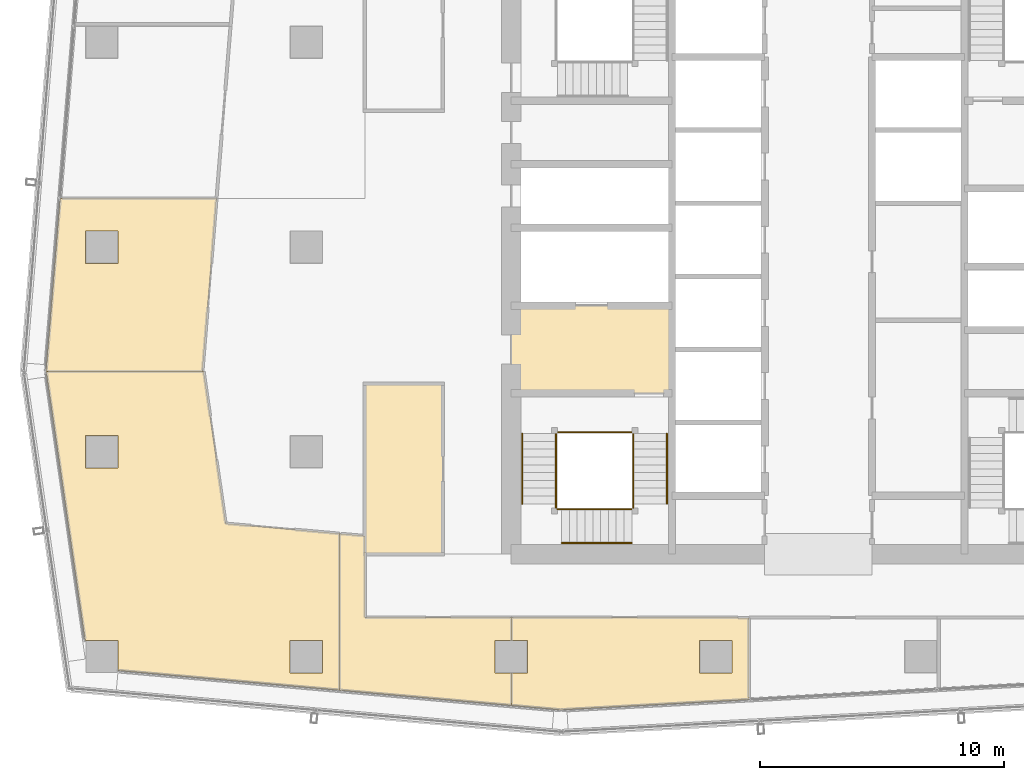
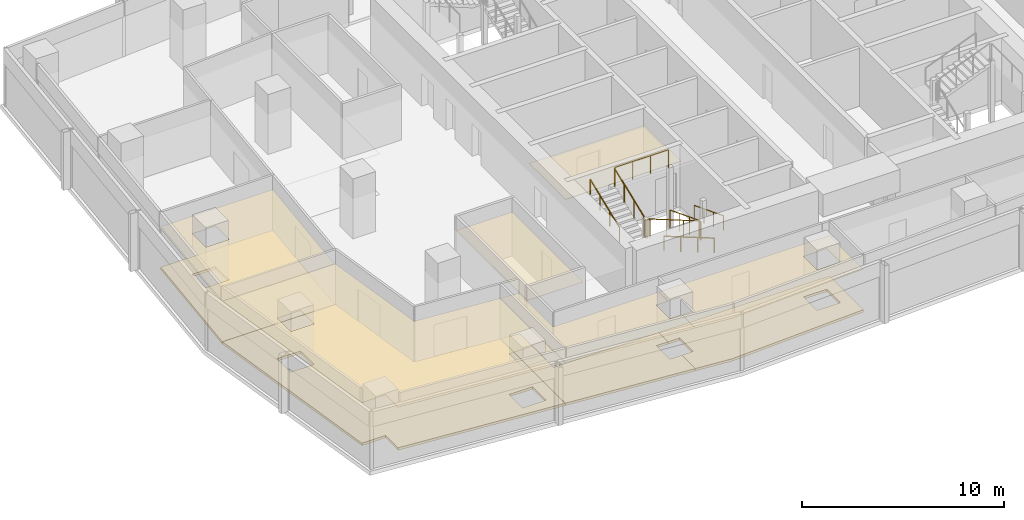
# One storey, part 23 of 26: 10 coverings, 10 railings.
"""IFC4 building model written with IfcOpenShell, lengths in metres."""

from ifc_helpers import new_model, si_unit, direction, frame, origin, origin_2d, place, context, subcontext, project, spatial, polyline, circle, outline, extrude, material, layer, layer_set, type_object, element, save


model = new_model("IFC4")

# Units and contexts
model_context = context("Model", 3, precision=1e-05, world=origin(), true_north=direction((0.0, 1.0)))
body_context = subcontext(model_context, "Body", "Model", "MODEL_VIEW")
ifc_project = project(units=[si_unit("LENGTHUNIT", "METRE"), si_unit("AREAUNIT", "SQUARE_METRE"), si_unit("VOLUMEUNIT", "CUBIC_METRE"), si_unit("PLANEANGLEUNIT", "RADIAN"), si_unit("MASSUNIT", "GRAM", prefix="KILO")], contexts=[model_context])

# Site, building, storey
site_placement = place(None, origin())
site = spatial("IfcSite", under=ifc_project, at=site_placement, CompositionType="ELEMENT")
building_placement = place(site_placement, origin())
building = spatial("IfcBuilding", under=site, at=building_placement, Name="Rekha Terrace Tower", CompositionType="ELEMENT")
storey_placement = place(building_placement, frame((0.0, 0.0, 283.85009765625)))
storey = spatial("IfcBuildingStorey", under=building, at=storey_placement, Name="L72", CompositionType="ELEMENT", Elevation=283.85009765625)

# Coverings
ifc_material_1 = material(Name="Mineral fibre tile in exposed grid", Category="finish")
ifc_layer_1 = layer(ifc_material_1, 0.02001953125)
ifc_layer_set_1 = layer_set([ifc_layer_1], Name="Mineral fibre tile in exposed grid")
covering_type_1 = type_object("IfcCoveringType", Name="CL1 600x1200 office grid ceiling", PredefinedType="CEILING", material=ifc_layer_set_1)
covering_1_placement = place(storey_placement, frame((0.0, 0.0, 2.579833984375)))
element("IfcCovering", 1, at=covering_1_placement, inside=storey, type_object=covering_type_1, Name="Ceiling L72-08", PredefinedType="CEILING", context=body_context, shape_type="SweptSolid", body=[
    extrude(outline(polyline([(12.534912109375, 28.491943359375), (13.112060546875, 35.589111328125), (6.69091796875, 35.589111328125), (6.113037109375, 28.491943359375), (12.534912109375, 28.491943359375)]), holes=[polyline([(9.06494140625, 34.264892578125), (9.06494140625, 32.93505859375), (7.735107421875, 32.93505859375), (7.735107421875, 34.264892578125), (9.06494140625, 34.264892578125)])]), origin(), (0.0, 0.0, 1.0), 0.02001953125),
])
covering_2_placement = place(storey_placement, frame((0.0, 0.0, 2.579833984375)))
element("IfcCovering", 2, at=covering_2_placement, inside=storey, type_object=covering_type_1, Name="Ceiling L72-09", PredefinedType="CEILING", context=body_context, shape_type="SweptSolid", body=[
    extrude(outline(polyline([(6.12109375, 28.490966796875), (7.715087890625, 17.465087890625), (9.06494140625, 17.465087890625), (9.06494140625, 16.22705078125), (18.14892578125, 15.4189453125), (18.14892578125, 21.844970703125), (13.488037109375, 22.259033203125), (12.5869140625, 28.490966796875), (6.12109375, 28.490966796875)]), holes=[polyline([(17.465087890625, 17.465087890625), (17.465087890625, 16.135009765625), (16.135009765625, 16.135009765625), (16.135009765625, 17.465087890625), (17.465087890625, 17.465087890625)]), polyline([(9.06494140625, 25.864990234375), (9.06494140625, 24.534912109375), (7.735107421875, 24.534912109375), (7.735107421875, 25.864990234375), (9.06494140625, 25.864990234375)])]), origin(), (0.0, 0.0, 1.0), 0.02001953125),
])
covering_3_placement = place(storey_placement, frame((0.0, 0.0, 2.579833984375)))
element("IfcCovering", 3, at=covering_3_placement, inside=storey, type_object=covering_type_1, Name="Ceiling L72-10", PredefinedType="CEILING", context=body_context, shape_type="SweptSolid", body=[
    extrude(outline(polyline([(24.534912109375, 17.465087890625), (25.2060546875, 17.465087890625), (25.2060546875, 18.39990234375), (19.199951171875, 18.39990234375), (19.199951171875, 21.7509765625), (18.14990234375, 21.843994140625), (18.14990234375, 15.4189453125), (25.2060546875, 14.7919921875), (25.2060546875, 16.135009765625), (24.534912109375, 16.135009765625), (24.534912109375, 17.465087890625)])), origin(), (0.0, 0.0, 1.0), 0.02001953125),
])
covering_4_placement = place(storey_placement, frame((0.0, 0.0, 2.579833984375)))
element("IfcCovering", 4, at=covering_4_placement, inside=storey, type_object=covering_type_1, Name="Ceiling L72-11", PredefinedType="CEILING", context=body_context, shape_type="SweptSolid", body=[
    extrude(outline(polyline([(34.50390625, 15.009033203125), (34.947998046875, 15.033935546875), (34.947998046875, 18.375), (34.50390625, 18.375), (34.50390625, 18.39990234375), (25.20703125, 18.39990234375), (25.20703125, 17.465087890625), (25.864990234375, 17.465087890625), (25.864990234375, 16.135009765625), (25.20703125, 16.135009765625), (25.20703125, 14.7919921875), (27.221923828125, 14.613037109375), (34.50390625, 15.009033203125)]), holes=[polyline([(34.264892578125, 16.135009765625), (32.93505859375, 16.135009765625), (32.93505859375, 17.465087890625), (34.264892578125, 17.465087890625), (34.264892578125, 16.135009765625)])]), origin(), (0.0, 0.0, 1.0), 0.02001953125),
])
ifc_material_2 = material(Name="Fibre cement board", Category="finish")
ifc_layer_2 = layer(ifc_material_2, 0.014892578125)
ifc_layer_set_2 = layer_set([ifc_layer_2], Name="Fibre cement board")
covering_type_2 = type_object("IfcCoveringType", Name="CL2 moisture-resistant board ceiling", PredefinedType="CEILING", material=ifc_layer_set_2)
covering_5_placement = place(storey_placement, frame((0.0, 0.0, 2.5849609375)))
element("IfcCovering", 5, at=covering_5_placement, inside=storey, type_object=covering_type_2, Name="Ceiling L72-WCM", PredefinedType="CEILING", context=body_context, shape_type="SweptSolid", body=[
    extrude(outline(polyline([(22.39990234375, 28.0), (19.199951171875, 28.0), (19.199951171875, 21.0), (22.39990234375, 21.0), (22.39990234375, 28.0)])), origin(), (0.0, 0.0, 1.0), 0.014892578125),
])
ifc_material_3 = material(Name="Powder-coated aluminium pan", Category="aluminium")
ifc_layer_3 = layer(ifc_material_3, 0.030029296875)
ifc_layer_set_3 = layer_set([ifc_layer_3], Name="Powder-coated aluminium pan")
covering_type_3 = type_object("IfcCoveringType", Name="CL3 300x1200 metal pan ceiling", PredefinedType="CEILING", material=ifc_layer_set_3)
covering_6_placement = place(storey_placement, frame((0.0, 0.0, 2.56982421875)))
element("IfcCovering", 6, at=covering_6_placement, inside=storey, type_object=covering_type_3, Name="Ceiling L72-FLB1", PredefinedType="CEILING", context=body_context, shape_type="SweptSolid", body=[
    extrude(outline(polyline([(31.800048828125, 31.199951171875), (25.199951171875, 31.199951171875), (25.199951171875, 27.60009765625), (31.800048828125, 27.60009765625), (31.800048828125, 31.199951171875)])), origin(), (0.0, 0.0, 1.0), 0.030029296875),
])

# Railings
ifc_material_4 = material(Name="Stainless steel balustrade", Category="steel")
railing_type_1 = type_object("IfcRailingType", Name="GR1 1100 stair guard", PredefinedType="GUARDRAIL", material=ifc_material_4)
railing_1_placement = place(storey_placement, frame((30.2099609375, 25.949951171875, 0.125)))
element("IfcRailing", 7, at=railing_1_placement, inside=storey, type_object=railing_type_1, Name="Guard ST1 L72 flight 1", PredefinedType="GUARDRAIL", context=body_context, shape_type="SweptSolid", body=[
    extrude(circle(Radius=0.02392578125, at=origin_2d()), frame((0.0, 0.0, 1.076171875), z_axis=(0.0, -0.931452331594, 0.363863372667), x_axis=(1.0, 0.0, 0.0)), (0.0, 0.0, 1.0), 3.091796875),
    extrude(circle(Radius=0.02099609375, at=origin_2d()), origin(), (0.0, 0.0, 1.0), 1.052001953125),
    extrude(circle(Radius=0.02099609375, at=origin_2d()), frame((0.0, -0.9599609375, 0.375)), (0.0, 0.0, 1.0), 1.052001953125),
    extrude(circle(Radius=0.02099609375, at=origin_2d()), frame((0.0, -1.919921875, 0.75)), (0.0, 0.0, 1.0), 1.052001953125),
    extrude(circle(Radius=0.02099609375, at=origin_2d()), frame((0.0, -2.8798828125, 1.125)), (0.0, 0.0, 1.0), 1.052001953125),
])
railing_2_placement = place(storey_placement, frame((30.14990234375, 22.840087890625, 1.375)))
element("IfcRailing", 8, at=railing_2_placement, inside=storey, type_object=railing_type_1, Name="Guard ST1 L72 flight 2", PredefinedType="GUARDRAIL", context=body_context, shape_type="SweptSolid", body=[
    extrude(circle(Radius=0.02392578125, at=origin_2d()), frame((0.0, 0.0, 1.076171875), z_axis=(-0.931452331594, 0.0, 0.363863372667), x_axis=(0.0, -1.0, 0.0)), (0.0, 0.0, 1.0), 3.091796875),
    extrude(circle(Radius=0.02099609375, at=origin_2d()), origin(), (0.0, 0.0, 1.0), 1.052001953125),
    extrude(circle(Radius=0.02099609375, at=origin_2d()), frame((-0.9599609375, 0.0, 0.375)), (0.0, 0.0, 1.0), 1.052001953125),
    extrude(circle(Radius=0.02099609375, at=origin_2d()), frame((-1.919921875, 0.0, 0.75)), (0.0, 0.0, 1.0), 1.052001953125),
    extrude(circle(Radius=0.02099609375, at=origin_2d()), frame((-2.8798828125, 0.0, 1.125)), (0.0, 0.0, 1.0), 1.052001953125),
])
railing_3_placement = place(storey_placement, frame((27.0400390625, 23.070068359375, 2.625)))
element("IfcRailing", 9, at=railing_3_placement, inside=storey, type_object=railing_type_1, Name="Guard ST1 L72 flight 3", PredefinedType="GUARDRAIL", context=body_context, shape_type="SweptSolid", body=[
    extrude(circle(Radius=0.02392578125, at=origin_2d()), frame((0.0, 0.0, 1.076171875), z_axis=(0.0, 0.931452331594, 0.363863372667), x_axis=(-1.0, 0.0, 0.0)), (0.0, 0.0, 1.0), 3.091796875),
    extrude(circle(Radius=0.02099609375, at=origin_2d()), origin(), (0.0, 0.0, 1.0), 1.052001953125),
    extrude(circle(Radius=0.02099609375, at=origin_2d()), frame((0.0, 0.9599609375, 0.375)), (0.0, 0.0, 1.0), 1.052001953125),
    extrude(circle(Radius=0.02099609375, at=origin_2d()), frame((0.0, 1.919921875, 0.75)), (0.0, 0.0, 1.0), 1.052001953125),
    extrude(circle(Radius=0.02099609375, at=origin_2d()), frame((0.0, 2.8798828125, 1.125)), (0.0, 0.0, 1.0), 1.052001953125),
])
railing_4_placement = place(storey_placement, frame((30.2099609375, 23.070068359375, 1.25)))
element("IfcRailing", 10, at=railing_4_placement, inside=storey, type_object=railing_type_1, Name="Guard ST1 L72 landing 1", PredefinedType="GUARDRAIL", context=body_context, shape_type="SweptSolid", body=[
    extrude(circle(Radius=0.02392578125, at=origin_2d()), frame((0.0, 0.0, 1.076171875), z_axis=(0.0, -1.0, 0.0), x_axis=(1.0, 0.0, 0.0)), (0.0, 0.0, 1.0), 0.170166015625),
    extrude(circle(Radius=0.02099609375, at=origin_2d()), origin(), (0.0, 0.0, 1.0), 1.052001953125),
    extrude(circle(Radius=0.02099609375, at=origin_2d()), frame((0.0, -0.170166015625, 0.0)), (0.0, 0.0, 1.0), 1.052001953125),
])
railing_5_placement = place(storey_placement, frame((27.27001953125, 22.840087890625, 2.5)))
element("IfcRailing", 11, at=railing_5_placement, inside=storey, type_object=railing_type_1, Name="Guard ST1 L72 landing 2", PredefinedType="GUARDRAIL", context=body_context, shape_type="SweptSolid", body=[
    extrude(circle(Radius=0.02392578125, at=origin_2d()), frame((0.0, 0.0, 1.076171875), z_axis=(-1.0, 0.0, 0.0), x_axis=(0.0, -1.0, 0.0)), (0.0, 0.0, 1.0), 0.169921875),
    extrude(circle(Radius=0.02099609375, at=origin_2d()), origin(), (0.0, 0.0, 1.0), 1.052001953125),
    extrude(circle(Radius=0.02099609375, at=origin_2d()), frame((-0.169921875, 0.0, 0.0)), (0.0, 0.0, 1.0), 1.052001953125),
])
railing_6_placement = place(storey_placement, frame((27.0400390625, 23.070068359375, 2.5)))
element("IfcRailing", 12, at=railing_6_placement, inside=storey, type_object=railing_type_1, Name="Guard ST1 L72 landing 3", PredefinedType="GUARDRAIL", context=body_context, shape_type="SweptSolid", body=[
    extrude(circle(Radius=0.02392578125, at=origin_2d()), frame((0.0, 0.0, 1.076171875), z_axis=(0.0, -1.0, 0.0), x_axis=(1.0, 0.0, 0.0)), (0.0, 0.0, 1.0), 0.170166015625),
    extrude(circle(Radius=0.02099609375, at=origin_2d()), origin(), (0.0, 0.0, 1.0), 1.052001953125),
    extrude(circle(Radius=0.02099609375, at=origin_2d()), frame((0.0, -0.170166015625, 0.0)), (0.0, 0.0, 1.0), 1.052001953125),
])
railing_7_placement = place(storey_placement, frame((30.14990234375, 26.010009765625, 3.75)))
element("IfcRailing", 13, at=railing_7_placement, inside=storey, type_object=railing_type_1, Name="Guard ST1 L72 landing 4", PredefinedType="GUARDRAIL", context=body_context, shape_type="SweptSolid", body=[
    extrude(circle(Radius=0.02392578125, at=origin_2d()), frame((0.0, 0.0, 1.076171875), z_axis=(-1.0, 0.0, 0.0), x_axis=(0.0, -1.0, 0.0)), (0.0, 0.0, 1.0), 3.0498046875),
    extrude(circle(Radius=0.02099609375, at=origin_2d()), origin(), (0.0, 0.0, 1.0), 1.052001953125),
    extrude(circle(Radius=0.02099609375, at=origin_2d()), frame((-1.0166015625, 0.0, 0.0)), (0.0, 0.0, 1.0), 1.052001953125),
    extrude(circle(Radius=0.02099609375, at=origin_2d()), frame((-2.033203125, 0.0, 0.0)), (0.0, 0.0, 1.0), 1.052001953125),
    extrude(circle(Radius=0.02099609375, at=origin_2d()), frame((-3.0498046875, 0.0, 0.0)), (0.0, 0.0, 1.0), 1.052001953125),
])
ifc_material_5 = material(Name="Stainless steel tube", Category="steel")
railing_type_2 = type_object("IfcRailingType", Name="HR1 900 stair handrail", PredefinedType="HANDRAIL", material=ifc_material_5)
railing_8_placement = place(storey_placement, frame((31.590087890625, 25.949951171875, 0.125)))
element("IfcRailing", 14, at=railing_8_placement, inside=storey, type_object=railing_type_2, Name="Handrail ST1 L72 flight 1", PredefinedType="HANDRAIL", context=body_context, shape_type="SweptSolid", body=[
    extrude(circle(Radius=0.02392578125, at=origin_2d()), frame((0.0, 0.0, 0.8759765625), z_axis=(0.0, -0.931452331594, 0.363863372667), x_axis=(1.0, 0.0, 0.0)), (0.0, 0.0, 1.0), 3.091796875),
    extrude(circle(Radius=0.02099609375, at=origin_2d()), origin(), (0.0, 0.0, 1.0), 0.851806640625),
    extrude(circle(Radius=0.02099609375, at=origin_2d()), frame((0.0, -0.9599609375, 0.375)), (0.0, 0.0, 1.0), 0.851806640625),
    extrude(circle(Radius=0.02099609375, at=origin_2d()), frame((0.0, -1.919921875, 0.75)), (0.0, 0.0, 1.0), 0.851806640625),
    extrude(circle(Radius=0.02099609375, at=origin_2d()), frame((0.0, -2.8798828125, 1.125)), (0.0, 0.0, 1.0), 0.851806640625),
])
railing_9_placement = place(storey_placement, frame((30.14990234375, 21.4599609375, 1.375)))
element("IfcRailing", 15, at=railing_9_placement, inside=storey, type_object=railing_type_2, Name="Handrail ST1 L72 flight 2", PredefinedType="HANDRAIL", context=body_context, shape_type="SweptSolid", body=[
    extrude(circle(Radius=0.02392578125, at=origin_2d()), frame((0.0, 0.0, 0.8759765625), z_axis=(-0.931452331594, 0.0, 0.363863372667), x_axis=(0.0, -1.0, 0.0)), (0.0, 0.0, 1.0), 3.091796875),
    extrude(circle(Radius=0.02099609375, at=origin_2d()), origin(), (0.0, 0.0, 1.0), 0.851806640625),
    extrude(circle(Radius=0.02099609375, at=origin_2d()), frame((-0.9599609375, 0.0, 0.375)), (0.0, 0.0, 1.0), 0.851806640625),
    extrude(circle(Radius=0.02099609375, at=origin_2d()), frame((-1.919921875, 0.0, 0.75)), (0.0, 0.0, 1.0), 0.851806640625),
    extrude(circle(Radius=0.02099609375, at=origin_2d()), frame((-2.8798828125, 0.0, 1.125)), (0.0, 0.0, 1.0), 0.851806640625),
])
railing_10_placement = place(storey_placement, frame((25.659912109375, 23.070068359375, 2.625)))
element("IfcRailing", 16, at=railing_10_placement, inside=storey, type_object=railing_type_2, Name="Handrail ST1 L72 flight 3", PredefinedType="HANDRAIL", context=body_context, shape_type="SweptSolid", body=[
    extrude(circle(Radius=0.02392578125, at=origin_2d()), frame((0.0, 0.0, 0.8759765625), z_axis=(0.0, 0.931452331594, 0.363863372667), x_axis=(-1.0, 0.0, 0.0)), (0.0, 0.0, 1.0), 3.091796875),
    extrude(circle(Radius=0.02099609375, at=origin_2d()), origin(), (0.0, 0.0, 1.0), 0.851806640625),
    extrude(circle(Radius=0.02099609375, at=origin_2d()), frame((0.0, 0.9599609375, 0.375)), (0.0, 0.0, 1.0), 0.851806640625),
    extrude(circle(Radius=0.02099609375, at=origin_2d()), frame((0.0, 1.919921875, 0.75)), (0.0, 0.0, 1.0), 0.851806640625),
    extrude(circle(Radius=0.02099609375, at=origin_2d()), frame((0.0, 2.8798828125, 1.125)), (0.0, 0.0, 1.0), 0.851806640625),
])

# Coverings
ifc_material_6 = material(Name="Calcium sulphate panels on steel pedestals", Category="steel")
ifc_layer_4 = layer(ifc_material_6, 0.14990234375)
ifc_layer_set_4 = layer_set([ifc_layer_4], Name="Calcium sulphate panels on steel pedestals")
covering_type_4 = type_object("IfcCoveringType", Name="RF1 150 raised access floor", PredefinedType="FLOORING", material=ifc_layer_set_4)
covering_7_placement = place(storey_placement, origin())
element("IfcCovering", 17, at=covering_7_placement, inside=storey, type_object=covering_type_4, Name="Raised floor L72-08", PredefinedType="FLOORING", context=body_context, shape_type="SweptSolid", body=[
    extrude(outline(polyline([(12.534912109375, 28.491943359375), (13.112060546875, 35.589111328125), (6.69091796875, 35.589111328125), (6.113037109375, 28.491943359375), (12.534912109375, 28.491943359375)]), holes=[polyline([(9.06494140625, 34.264892578125), (9.06494140625, 32.93505859375), (7.735107421875, 32.93505859375), (7.735107421875, 34.264892578125), (9.06494140625, 34.264892578125)])]), origin(), (0.0, 0.0, 1.0), 0.14990234375),
])
covering_8_placement = place(storey_placement, origin())
element("IfcCovering", 18, at=covering_8_placement, inside=storey, type_object=covering_type_4, Name="Raised floor L72-09", PredefinedType="FLOORING", context=body_context, shape_type="SweptSolid", body=[
    extrude(outline(polyline([(6.12109375, 28.490966796875), (7.715087890625, 17.465087890625), (9.06494140625, 17.465087890625), (9.06494140625, 16.22705078125), (18.14892578125, 15.4189453125), (18.14892578125, 21.844970703125), (13.488037109375, 22.259033203125), (12.5869140625, 28.490966796875), (6.12109375, 28.490966796875)]), holes=[polyline([(17.465087890625, 17.465087890625), (17.465087890625, 16.135009765625), (16.135009765625, 16.135009765625), (16.135009765625, 17.465087890625), (17.465087890625, 17.465087890625)]), polyline([(9.06494140625, 25.864990234375), (9.06494140625, 24.534912109375), (7.735107421875, 24.534912109375), (7.735107421875, 25.864990234375), (9.06494140625, 25.864990234375)])]), origin(), (0.0, 0.0, 1.0), 0.14990234375),
])
covering_9_placement = place(storey_placement, origin())
element("IfcCovering", 19, at=covering_9_placement, inside=storey, type_object=covering_type_4, Name="Raised floor L72-10", PredefinedType="FLOORING", context=body_context, shape_type="SweptSolid", body=[
    extrude(outline(polyline([(24.534912109375, 17.465087890625), (25.2060546875, 17.465087890625), (25.2060546875, 18.39990234375), (19.199951171875, 18.39990234375), (19.199951171875, 21.7509765625), (18.14990234375, 21.843994140625), (18.14990234375, 15.4189453125), (25.2060546875, 14.7919921875), (25.2060546875, 16.135009765625), (24.534912109375, 16.135009765625), (24.534912109375, 17.465087890625)])), origin(), (0.0, 0.0, 1.0), 0.14990234375),
])
covering_10_placement = place(storey_placement, origin())
element("IfcCovering", 20, at=covering_10_placement, inside=storey, type_object=covering_type_4, Name="Raised floor L72-11", PredefinedType="FLOORING", context=body_context, shape_type="SweptSolid", body=[
    extrude(outline(polyline([(34.50390625, 15.009033203125), (34.947998046875, 15.033935546875), (34.947998046875, 18.375), (34.50390625, 18.375), (34.50390625, 18.39990234375), (25.20703125, 18.39990234375), (25.20703125, 17.465087890625), (25.864990234375, 17.465087890625), (25.864990234375, 16.135009765625), (25.20703125, 16.135009765625), (25.20703125, 14.7919921875), (27.221923828125, 14.613037109375), (34.50390625, 15.009033203125)]), holes=[polyline([(34.264892578125, 16.135009765625), (32.93505859375, 16.135009765625), (32.93505859375, 17.465087890625), (34.264892578125, 17.465087890625), (34.264892578125, 16.135009765625)])]), origin(), (0.0, 0.0, 1.0), 0.14990234375),
])

save(model, "model.ifc")
